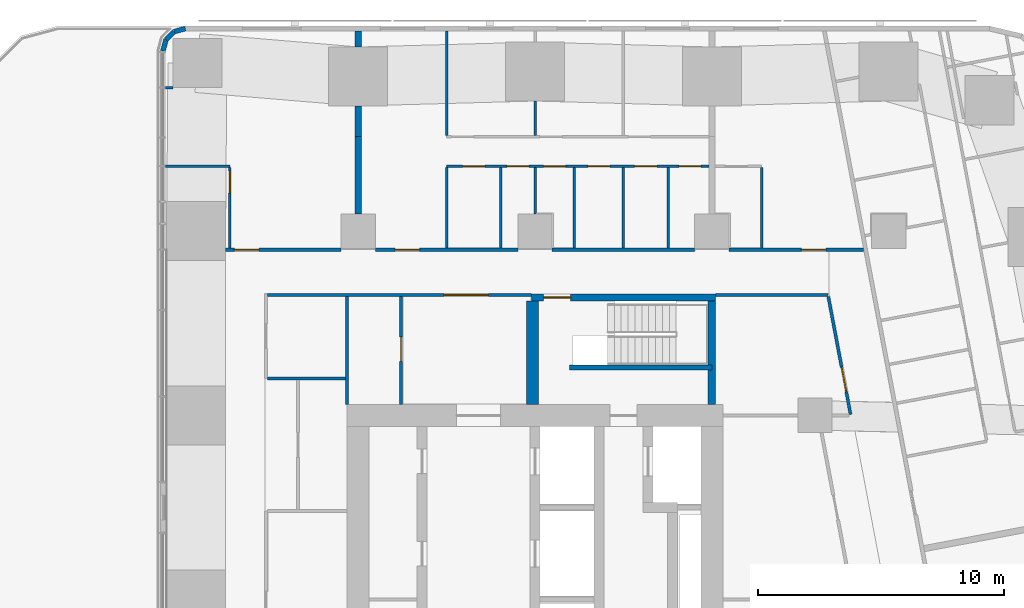
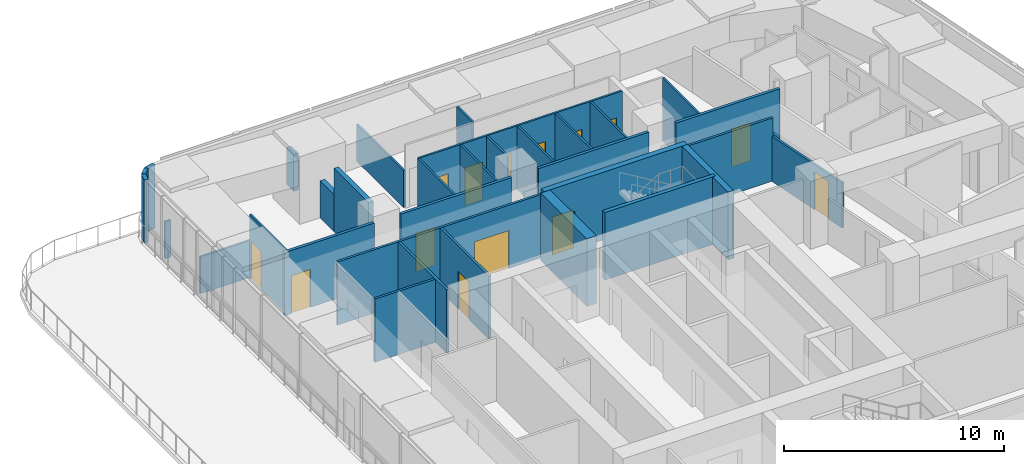
# One storey, part 12 of 17: 33 walls, 14 doors, 14 openings.
"""IFC4 building model written with IfcOpenShell, lengths in metres."""

from ifc_helpers import new_model, si_unit, direction, frame, frame_2d, origin, place, context, subcontext, project, spatial, rectangle, extrude, material, layer, layer_set, type_object, element, fill, save


model = new_model("IFC4")

# Units and contexts
model_context = context("Model", 3, precision=1e-05, world=origin(), true_north=direction((0.0, 1.0)))
body_context = subcontext(model_context, "Body", "Model", "MODEL_VIEW")
ifc_project = project(units=[si_unit("LENGTHUNIT", "METRE"), si_unit("AREAUNIT", "SQUARE_METRE"), si_unit("VOLUMEUNIT", "CUBIC_METRE"), si_unit("PLANEANGLEUNIT", "RADIAN"), si_unit("MASSUNIT", "GRAM", prefix="KILO")], contexts=[model_context])

# Site, building, storey
site_placement = place(None, origin())
site = spatial("IfcSite", under=ifc_project, at=site_placement, CompositionType="ELEMENT")
building_placement = place(site_placement, origin())
building = spatial("IfcBuilding", under=site, at=building_placement, Name="Sheger Commons Tower", CompositionType="ELEMENT")
storey_placement = place(building_placement, frame((0.0, 0.0, 193.699951171875)))
storey = spatial("IfcBuildingStorey", under=building, at=storey_placement, Name="L49", CompositionType="ELEMENT", Elevation=193.699951171875)

# Wall, opening, door
ifc_material_1 = material(Name="Hollow concrete block masonry, skimmed both sides", Category="masonry")
ifc_layer_1 = layer(ifc_material_1, 0.14990234375)
ifc_layer_set_1 = layer_set([ifc_layer_1], Name="CORRIDOR WALL 150")
wall_type_1 = type_object("IfcWallType", Name="CORRIDOR WALL 150", PredefinedType="SOLIDWALL", material=ifc_layer_set_1)
wall_1_placement = place(storey_placement, frame((9.0009765625, 36.75, 0.0), z_axis=(0.0, 0.0, 1.0), x_axis=(1.0, 0.0, 0.0)))
wall_1 = element("IfcWall", 1, at=wall_1_placement, inside=storey, type_object=wall_type_1, Name="Corridor wall L49", PredefinedType="SOLIDWALL", context=body_context, shape_type="SweptSolid", body=[
    extrude(rectangle(XDim=4.697998046875, YDim=0.14990234375, at=frame_2d((2.34912109375, 0.0))), origin(), (0.0, 0.0, 1.0), 3.5),
])
opening_1_placement = place(wall_1_placement, frame((0.35302734375, 0.0, 0.0)))
opening_1 = element("IfcOpeningElement", 2, at=opening_1_placement, cuts=wall_1, Name="Opening D1", PredefinedType="OPENING", context=body_context, shape_type="SweptSolid", body=[
    extrude(rectangle(XDim=1.0, YDim=2.10009765625, at=frame_2d((0.5, 1.050048828125))), frame((0.0, 0.0849609375, 0.0), z_axis=(0.0, -1.0, 0.0), x_axis=(1.0, 0.0, 0.0)), (0.0, 0.0, 1.0), 0.169921875),
])
ifc_material_2 = material(Name="Steel door set, fire rated", Category="steel")
door_type_1 = type_object("IfcDoorType", Name="FLAT ENTRANCE DOOR 1000x2100", OperationType="NOTDEFINED", PredefinedType="DOOR", material=ifc_material_2)
door_1_placement = place(opening_1_placement, origin())
door_1 = element("IfcDoor", 3, at=door_1_placement, inside=storey, type_object=door_type_1, Name="Flat entrance door", OperationType="SINGLE_SWING_RIGHT", OverallHeight=2.10009765625, OverallWidth=1.0, PredefinedType="DOOR", context=body_context, shape_type="SweptSolid", body=[
    extrude(rectangle(XDim=1.0, YDim=2.10009765625, at=frame_2d((0.5, 1.050048828125))), frame((0.0, 0.02490234375, 0.0), z_axis=(0.0, -1.0, 0.0), x_axis=(1.0, 0.0, 0.0)), (0.0, 0.0, 1.0), 0.050048828125),
])
fill(opening_1, door_1)

wall_2_placement = place(storey_placement, frame((15.10107421875, 36.75, 0.0), z_axis=(0.0, 0.0, 1.0), x_axis=(1.0, 0.0, 0.0)))
wall_2 = element("IfcWall", 4, at=wall_2_placement, inside=storey, type_object=wall_type_1, Name="Corridor wall L49", PredefinedType="SOLIDWALL", context=body_context, shape_type="SweptSolid", body=[
    extrude(rectangle(XDim=5.7978515625, YDim=0.14990234375, at=frame_2d((2.89892578125, 0.0))), origin(), (0.0, 0.0, 1.0), 3.5),
])
opening_2_placement = place(wall_2_placement, frame((0.799072265625, 0.0, 0.0)))
opening_2 = element("IfcOpeningElement", 5, at=opening_2_placement, cuts=wall_2, Name="Opening D1", PredefinedType="OPENING", context=body_context, shape_type="SweptSolid", body=[
    extrude(rectangle(XDim=1.0, YDim=2.10009765625, at=frame_2d((0.5, 1.050048828125))), frame((0.0, 0.0849609375, 0.0), z_axis=(0.0, -1.0, 0.0), x_axis=(1.0, 0.0, 0.0)), (0.0, 0.0, 1.0), 0.169921875),
])
door_2_placement = place(opening_2_placement, origin())
door_2 = element("IfcDoor", 6, at=door_2_placement, inside=storey, type_object=door_type_1, Name="Flat entrance door", OperationType="SINGLE_SWING_LEFT", OverallHeight=2.10009765625, OverallWidth=1.0, PredefinedType="DOOR", context=body_context, shape_type="SweptSolid", body=[
    extrude(rectangle(XDim=1.0, YDim=2.10009765625, at=frame_2d((0.5, 1.050048828125))), frame((0.0, 0.02490234375, 0.0), z_axis=(0.0, -1.0, 0.0), x_axis=(1.0, 0.0, 0.0)), (0.0, 0.0, 1.0), 0.050048828125),
])
fill(opening_2, door_2)

# Wall
wall_3_placement = place(storey_placement, frame((22.301025390625, 36.75, 0.0), z_axis=(0.0, 0.0, 1.0), x_axis=(1.0, 0.0, 0.0)))
element("IfcWall", 7, at=wall_3_placement, inside=storey, type_object=wall_type_1, Name="Corridor wall L49", PredefinedType="SOLIDWALL", context=body_context, shape_type="SweptSolid", body=[
    extrude(rectangle(XDim=5.798095703125, YDim=0.14990234375, at=frame_2d((2.89892578125, 0.0))), origin(), (0.0, 0.0, 1.0), 3.5),
])

# Wall, opening, door
wall_4_placement = place(storey_placement, frame((29.5009765625, 36.75, 0.0), z_axis=(0.0, 0.0, 1.0), x_axis=(1.0, 0.0, 0.0)))
wall_4 = element("IfcWall", 8, at=wall_4_placement, inside=storey, type_object=wall_type_1, Name="Corridor wall L49", PredefinedType="SOLIDWALL", context=body_context, shape_type="SweptSolid", body=[
    extrude(rectangle(XDim=5.470947265625, YDim=0.14990234375, at=frame_2d((2.7353515625, 0.0))), origin(), (0.0, 0.0, 1.0), 3.5),
])
opening_3_placement = place(wall_4_placement, frame((2.945068359375, 0.0, 0.0)))
opening_3 = element("IfcOpeningElement", 9, at=opening_3_placement, cuts=wall_4, Name="Opening D1", PredefinedType="OPENING", context=body_context, shape_type="SweptSolid", body=[
    extrude(rectangle(XDim=1.0, YDim=2.10009765625, at=frame_2d((0.5, 1.050048828125))), frame((0.0, 0.0849609375, 0.0), z_axis=(0.0, -1.0, 0.0), x_axis=(1.0, 0.0, 0.0)), (0.0, 0.0, 1.0), 0.169921875),
])
door_3_placement = place(opening_3_placement, origin())
door_3 = element("IfcDoor", 10, at=door_3_placement, inside=storey, type_object=door_type_1, Name="Flat entrance door", OperationType="SINGLE_SWING_RIGHT", OverallHeight=2.10009765625, OverallWidth=1.0, PredefinedType="DOOR", context=body_context, shape_type="SweptSolid", body=[
    extrude(rectangle(XDim=1.0, YDim=2.10009765625, at=frame_2d((0.5, 1.050048828125))), frame((0.0, 0.02490234375, 0.0), z_axis=(0.0, -1.0, 0.0), x_axis=(1.0, 0.0, 0.0)), (0.0, 0.0, 1.0), 0.050048828125),
])
fill(opening_3, door_3)

# Walls
ifc_material_3 = material(Name="Dense concrete block masonry, plastered both sides (separating wall between flats)", Category="masonry")
ifc_layer_2 = layer(ifc_material_3, 0.25)
ifc_layer_set_2 = layer_set([ifc_layer_2], Name="DEMISING WALL 250")
wall_type_2 = type_object("IfcWallType", Name="DEMISING WALL 250", PredefinedType="SOLIDWALL", material=ifc_layer_set_2)
wall_5_placement = place(storey_placement, frame((14.39990234375, 41.35009765625, 0.0), z_axis=(0.0, 0.0, 1.0), x_axis=(0.0, 1.0, 0.0)))
element("IfcWall", 11, at=wall_5_placement, inside=storey, type_object=wall_type_2, Name="Demising wall L49", PredefinedType="SOLIDWALL", context=body_context, shape_type="SweptSolid", body=[
    extrude(rectangle(XDim=1.2490234375, YDim=0.25, at=frame_2d((0.62451171875, 0.0))), origin(), (0.0, 0.0, 1.0), 2.050048828125),
])
wall_6_placement = place(storey_placement, frame((14.39990234375, 45.0009765625, 0.0), z_axis=(0.0, 0.0, 1.0), x_axis=(0.0, 1.0, 0.0)))
element("IfcWall", 12, at=wall_6_placement, inside=storey, type_object=wall_type_2, Name="Demising wall L49", PredefinedType="SOLIDWALL", context=body_context, shape_type="SweptSolid", body=[
    extrude(rectangle(XDim=0.64892578125, YDim=0.25, at=frame_2d((0.324462890625, 0.0))), origin(), (0.0, 0.0, 1.0), 2.050048828125),
])
wall_7_placement = place(storey_placement, frame((14.39990234375, 38.200927734375, 0.0), z_axis=(0.0, 0.0, 1.0), x_axis=(0.0, 1.0, 0.0)))
element("IfcWall", 13, at=wall_7_placement, inside=storey, type_object=wall_type_2, Name="Demising wall L49", PredefinedType="SOLIDWALL", context=body_context, shape_type="SweptSolid", body=[
    extrude(rectangle(XDim=3.149169921875, YDim=0.25, at=frame_2d((1.57470703125, 0.0))), origin(), (0.0, 0.0, 1.0), 3.5),
])
ifc_material_4 = material(Name="Rendered concrete block masonry, dark grey", Category="masonry")
ifc_layer_3 = layer(ifc_material_4, 0.199951171875)
ifc_layer_set_3 = layer_set([ifc_layer_3], Name="FACADE WALL 200")
wall_type_3 = type_object("IfcWallType", Name="FACADE WALL 200", PredefinedType="SOLIDWALL", material=ifc_layer_set_3)
wall_8_placement = place(storey_placement, frame((7.363037109375, 45.75, 0.0), z_axis=(0.0, 0.0, 1.0), x_axis=(-0.965655254015, -0.259826731483, 0.0)))
element("IfcWall", 14, at=wall_8_placement, inside=storey, type_object=wall_type_3, Name="Facade wall L49", PredefinedType="SOLIDWALL", context=body_context, shape_type="SweptSolid", body=[
    extrude(rectangle(XDim=0.477294921875, YDim=0.199951171875, at=frame_2d((0.23876953125, 0.0))), origin(), (0.0, 0.0, 1.0), 3.5),
])
wall_9_placement = place(storey_placement, frame((6.902099609375, 45.6259765625, 0.0), z_axis=(0.0, 0.0, 1.0), x_axis=(-0.707369890659, -0.706843573776, 0.0)))
element("IfcWall", 15, at=wall_9_placement, inside=storey, type_object=wall_type_3, Name="Facade wall L49", PredefinedType="SOLIDWALL", context=body_context, shape_type="SweptSolid", body=[
    extrude(rectangle(XDim=0.4638671875, YDim=0.199951171875, at=frame_2d((0.23193359375, 0.0))), origin(), (0.0, 0.0, 1.0), 3.5),
])
wall_10_placement = place(storey_placement, frame((6.573974609375, 45.298095703125, 0.0), z_axis=(0.0, 0.0, 1.0), x_axis=(-0.259698463175, -0.965689757751, 0.0)))
element("IfcWall", 16, at=wall_10_placement, inside=storey, type_object=wall_type_3, Name="Facade wall L49", PredefinedType="SOLIDWALL", context=body_context, shape_type="SweptSolid", body=[
    extrude(rectangle(XDim=0.4775390625, YDim=0.199951171875, at=frame_2d((0.23876953125, 0.0))), origin(), (0.0, 0.0, 1.0), 3.5),
])
ifc_material_5 = material(Name="Gypsum board on steel studs", Category="steel")
ifc_layer_4 = layer(ifc_material_5, 0.10009765625)
ifc_layer_set_4 = layer_set([ifc_layer_4], Name="PARTITION 100")
wall_type_4 = type_object("IfcWallType", Name="PARTITION 100", PredefinedType="PARTITIONING", material=ifc_layer_set_4)
wall_11_placement = place(storey_placement, frame((6.85400390625, 43.345947265625, 0.0), z_axis=(0.0, 0.0, 1.0), x_axis=(-1.0, 0.0, 0.0)))
element("IfcWall", 17, at=wall_11_placement, inside=storey, type_object=wall_type_4, Name="Partition L49", PredefinedType="PARTITIONING", context=body_context, shape_type="SweptSolid", body=[
    extrude(rectangle(XDim=0.303955078125, YDim=0.10009765625, at=frame_2d((0.15185546875, 0.0))), origin(), (0.0, 0.0, 1.0), 2.050048828125),
])
wall_12_placement = place(storey_placement, frame((6.550048828125, 40.14990234375, 0.0), z_axis=(0.0, 0.0, 1.0), x_axis=(1.0, 0.0, 0.0)))
element("IfcWall", 18, at=wall_12_placement, inside=storey, type_object=wall_type_4, Name="Partition L49", PredefinedType="PARTITIONING", context=body_context, shape_type="SweptSolid", body=[
    extrude(rectangle(XDim=2.62890625, YDim=0.10009765625, at=frame_2d((1.314453125, 0.0))), origin(), (0.0, 0.0, 1.0), 2.050048828125),
])

# Wall, opening, door
wall_13_placement = place(storey_placement, frame((9.178955078125, 36.824951171875, 0.0), z_axis=(0.0, 0.0, 1.0), x_axis=(0.0, 1.0, 0.0)))
wall_13 = element("IfcWall", 19, at=wall_13_placement, inside=storey, type_object=wall_type_4, Name="Partition L49", PredefinedType="PARTITIONING", context=body_context, shape_type="SweptSolid", body=[
    extrude(rectangle(XDim=3.275146484375, YDim=0.10009765625, at=frame_2d((1.6376953125, 0.0))), origin(), (0.0, 0.0, 1.0), 3.5),
])
opening_4_placement = place(wall_13_placement, frame((2.22509765625, 0.0, 0.0)))
opening_4 = element("IfcOpeningElement", 20, at=opening_4_placement, cuts=wall_13, Name="Opening D2", PredefinedType="OPENING", context=body_context, shape_type="SweptSolid", body=[
    extrude(rectangle(XDim=0.89990234375, YDim=2.10009765625, at=frame_2d((0.449951171875, 1.050048828125))), frame((0.0, 0.06005859375, 0.0), z_axis=(0.0, -1.0, 0.0), x_axis=(1.0, 0.0, 0.0)), (0.0, 0.0, 1.0), 0.1201171875),
])
ifc_material_6 = material(Name="Timber door set", Category="wood")
door_type_2 = type_object("IfcDoorType", Name="INTERNAL DOOR 900x2100", OperationType="NOTDEFINED", PredefinedType="DOOR", material=ifc_material_6)
door_4_placement = place(opening_4_placement, origin())
door_4 = element("IfcDoor", 21, at=door_4_placement, inside=storey, type_object=door_type_2, Name="Shower room door", OperationType="SINGLE_SWING_RIGHT", OverallHeight=2.10009765625, OverallWidth=0.89990234375, PredefinedType="DOOR", context=body_context, shape_type="SweptSolid", body=[
    extrude(rectangle(XDim=0.89990234375, YDim=2.10009765625, at=frame_2d((0.449951171875, 1.050048828125))), frame((0.0, 0.02490234375, 0.0), z_axis=(0.0, -1.0, 0.0), x_axis=(1.0, 0.0, 0.0)), (0.0, 0.0, 1.0), 0.050048828125),
])
fill(opening_4, door_4)

# Wall, openings, doors
wall_14_placement = place(storey_placement, frame((18.0, 40.14990234375, 0.0), z_axis=(0.0, 0.0, 1.0), x_axis=(1.0, 0.0, 0.0)))
wall_14 = element("IfcWall", 22, at=wall_14_placement, inside=storey, type_object=wall_type_4, Name="Partition L49", PredefinedType="PARTITIONING", context=body_context, shape_type="SweptSolid", body=[
    extrude(rectangle(XDim=10.675048828125, YDim=0.10009765625, at=frame_2d((5.33740234375, 0.0))), origin(), (0.0, 0.0, 1.0), 3.5),
])
opening_5_placement = place(wall_14_placement, frame((0.655029296875, 0.0, 0.0)))
opening_5 = element("IfcOpeningElement", 23, at=opening_5_placement, cuts=wall_14, Name="Opening D2", PredefinedType="OPENING", context=body_context, shape_type="SweptSolid", body=[
    extrude(rectangle(XDim=0.89990234375, YDim=2.10009765625, at=frame_2d((0.449951171875, 1.050048828125))), frame((0.0, 0.06005859375, 0.0), z_axis=(0.0, -1.0, 0.0), x_axis=(1.0, 0.0, 0.0)), (0.0, 0.0, 1.0), 0.1201171875),
])
opening_6_placement = place(wall_14_placement, frame((3.949951171875, 0.0, 0.0)))
opening_6 = element("IfcOpeningElement", 24, at=opening_6_placement, cuts=wall_14, Name="Opening D2", PredefinedType="OPENING", context=body_context, shape_type="SweptSolid", body=[
    extrude(rectangle(XDim=0.89990234375, YDim=2.10009765625, at=frame_2d((0.449951171875, 1.050048828125))), frame((0.0, 0.06005859375, 0.0), z_axis=(0.0, -1.0, 0.0), x_axis=(1.0, 0.0, 0.0)), (0.0, 0.0, 1.0), 0.1201171875),
])
opening_7_placement = place(wall_14_placement, frame((7.659912109375, 0.0, 0.0)))
opening_7 = element("IfcOpeningElement", 25, at=opening_7_placement, cuts=wall_14, Name="Opening D2", PredefinedType="OPENING", context=body_context, shape_type="SweptSolid", body=[
    extrude(rectangle(XDim=0.89990234375, YDim=2.10009765625, at=frame_2d((0.449951171875, 1.050048828125))), frame((0.0, 0.06005859375, 0.0), z_axis=(0.0, -1.0, 0.0), x_axis=(1.0, 0.0, 0.0)), (0.0, 0.0, 1.0), 0.1201171875),
])
opening_8_placement = place(wall_14_placement, frame((2.455078125, 0.0, 0.0)))
opening_8 = element("IfcOpeningElement", 26, at=opening_8_placement, cuts=wall_14, Name="Opening D2", PredefinedType="OPENING", context=body_context, shape_type="SweptSolid", body=[
    extrude(rectangle(XDim=0.89990234375, YDim=2.10009765625, at=frame_2d((0.449951171875, 1.050048828125))), frame((0.0, 0.06005859375, 0.0), z_axis=(0.0, -1.0, 0.0), x_axis=(1.0, 0.0, 0.0)), (0.0, 0.0, 1.0), 0.1201171875),
])
opening_9_placement = place(wall_14_placement, frame((5.75, 0.0, 0.0)))
opening_9 = element("IfcOpeningElement", 27, at=opening_9_placement, cuts=wall_14, Name="Opening D2", PredefinedType="OPENING", context=body_context, shape_type="SweptSolid", body=[
    extrude(rectangle(XDim=0.89990234375, YDim=2.10009765625, at=frame_2d((0.449951171875, 1.050048828125))), frame((0.0, 0.06005859375, 0.0), z_axis=(0.0, -1.0, 0.0), x_axis=(1.0, 0.0, 0.0)), (0.0, 0.0, 1.0), 0.1201171875),
])
opening_10_placement = place(wall_14_placement, frame((9.4599609375, 0.0, 0.0)))
opening_10 = element("IfcOpeningElement", 28, at=opening_10_placement, cuts=wall_14, Name="Opening D2", PredefinedType="OPENING", context=body_context, shape_type="SweptSolid", body=[
    extrude(rectangle(XDim=0.89990234375, YDim=2.10009765625, at=frame_2d((0.449951171875, 1.050048828125))), frame((0.0, 0.06005859375, 0.0), z_axis=(0.0, -1.0, 0.0), x_axis=(1.0, 0.0, 0.0)), (0.0, 0.0, 1.0), 0.1201171875),
])
door_5_placement = place(opening_5_placement, origin())
door_5 = element("IfcDoor", 29, at=door_5_placement, inside=storey, type_object=door_type_2, Name="Bathroom door", OperationType="SINGLE_SWING_RIGHT", OverallHeight=2.10009765625, OverallWidth=0.89990234375, PredefinedType="DOOR", context=body_context, shape_type="SweptSolid", body=[
    extrude(rectangle(XDim=0.89990234375, YDim=2.10009765625, at=frame_2d((0.449951171875, 1.050048828125))), frame((0.0, 0.02490234375, 0.0), z_axis=(0.0, -1.0, 0.0), x_axis=(1.0, 0.0, 0.0)), (0.0, 0.0, 1.0), 0.050048828125),
])
fill(opening_5, door_5)
door_6_placement = place(opening_6_placement, origin())
door_6 = element("IfcDoor", 30, at=door_6_placement, inside=storey, type_object=door_type_2, Name="Shower room door", OperationType="SINGLE_SWING_RIGHT", OverallHeight=2.10009765625, OverallWidth=0.89990234375, PredefinedType="DOOR", context=body_context, shape_type="SweptSolid", body=[
    extrude(rectangle(XDim=0.89990234375, YDim=2.10009765625, at=frame_2d((0.449951171875, 1.050048828125))), frame((0.0, 0.02490234375, 0.0), z_axis=(0.0, -1.0, 0.0), x_axis=(1.0, 0.0, 0.0)), (0.0, 0.0, 1.0), 0.050048828125),
])
fill(opening_6, door_6)
door_7_placement = place(opening_7_placement, origin())
door_7 = element("IfcDoor", 31, at=door_7_placement, inside=storey, type_object=door_type_2, Name="Laundry room door", OperationType="SINGLE_SWING_RIGHT", OverallHeight=2.10009765625, OverallWidth=0.89990234375, PredefinedType="DOOR", context=body_context, shape_type="SweptSolid", body=[
    extrude(rectangle(XDim=0.89990234375, YDim=2.10009765625, at=frame_2d((0.449951171875, 1.050048828125))), frame((0.0, 0.02490234375, 0.0), z_axis=(0.0, -1.0, 0.0), x_axis=(1.0, 0.0, 0.0)), (0.0, 0.0, 1.0), 0.050048828125),
])
fill(opening_7, door_7)
door_8_placement = place(opening_8_placement, origin())
door_8 = element("IfcDoor", 32, at=door_8_placement, inside=storey, type_object=door_type_2, Name="Store door", OperationType="SINGLE_SWING_LEFT", OverallHeight=2.10009765625, OverallWidth=0.89990234375, PredefinedType="DOOR", context=body_context, shape_type="SweptSolid", body=[
    extrude(rectangle(XDim=0.89990234375, YDim=2.10009765625, at=frame_2d((0.449951171875, 1.050048828125))), frame((0.0, 0.02490234375, 0.0), z_axis=(0.0, -1.0, 0.0), x_axis=(1.0, 0.0, 0.0)), (0.0, 0.0, 1.0), 0.050048828125),
])
fill(opening_8, door_8)
door_9_placement = place(opening_9_placement, origin())
door_9 = element("IfcDoor", 33, at=door_9_placement, inside=storey, type_object=door_type_2, Name="Store door", OperationType="SINGLE_SWING_LEFT", OverallHeight=2.10009765625, OverallWidth=0.89990234375, PredefinedType="DOOR", context=body_context, shape_type="SweptSolid", body=[
    extrude(rectangle(XDim=0.89990234375, YDim=2.10009765625, at=frame_2d((0.449951171875, 1.050048828125))), frame((0.0, 0.02490234375, 0.0), z_axis=(0.0, -1.0, 0.0), x_axis=(1.0, 0.0, 0.0)), (0.0, 0.0, 1.0), 0.050048828125),
])
fill(opening_9, door_9)
door_10_placement = place(opening_10_placement, origin())
door_10 = element("IfcDoor", 34, at=door_10_placement, inside=storey, type_object=door_type_2, Name="Store door", OperationType="SINGLE_SWING_LEFT", OverallHeight=2.10009765625, OverallWidth=0.89990234375, PredefinedType="DOOR", context=body_context, shape_type="SweptSolid", body=[
    extrude(rectangle(XDim=0.89990234375, YDim=2.10009765625, at=frame_2d((0.449951171875, 1.050048828125))), frame((0.0, 0.02490234375, 0.0), z_axis=(0.0, -1.0, 0.0), x_axis=(1.0, 0.0, 0.0)), (0.0, 0.0, 1.0), 0.050048828125),
])
fill(opening_10, door_10)

# Walls
wall_15_placement = place(storey_placement, frame((18.0, 41.39990234375, 0.0), z_axis=(0.0, 0.0, 1.0), x_axis=(0.0, 1.0, 0.0)))
element("IfcWall", 35, at=wall_15_placement, inside=storey, type_object=wall_type_4, Name="Partition L49", PredefinedType="PARTITIONING", context=body_context, shape_type="SweptSolid", body=[
    extrude(rectangle(XDim=4.25, YDim=0.10009765625, at=frame_2d((2.125, 0.0))), origin(), (0.0, 0.0, 1.0), 2.050048828125),
])
wall_16_placement = place(storey_placement, frame((21.60009765625, 41.39990234375, 0.0), z_axis=(0.0, 0.0, 1.0), x_axis=(0.0, 1.0, 0.0)))
element("IfcWall", 36, at=wall_16_placement, inside=storey, type_object=wall_type_4, Name="Partition L49", PredefinedType="PARTITIONING", context=body_context, shape_type="SweptSolid", body=[
    extrude(rectangle(XDim=1.399169921875, YDim=0.10009765625, at=frame_2d((0.69970703125, 0.0))), origin(), (0.0, 0.0, 1.0), 3.5),
])
wall_17_placement = place(storey_placement, frame((18.0, 36.824951171875, 0.0), z_axis=(0.0, 0.0, 1.0), x_axis=(0.0, 1.0, 0.0)))
element("IfcWall", 37, at=wall_17_placement, inside=storey, type_object=wall_type_4, Name="Partition L49", PredefinedType="PARTITIONING", context=body_context, shape_type="SweptSolid", body=[
    extrude(rectangle(XDim=3.275146484375, YDim=0.10009765625, at=frame_2d((1.6376953125, 0.0))), origin(), (0.0, 0.0, 1.0), 3.5),
])
wall_18_placement = place(storey_placement, frame((21.60009765625, 38.200927734375, 0.0), z_axis=(0.0, 0.0, 1.0), x_axis=(0.0, 1.0, 0.0)))
element("IfcWall", 38, at=wall_18_placement, inside=storey, type_object=wall_type_4, Name="Partition L49", PredefinedType="PARTITIONING", context=body_context, shape_type="SweptSolid", body=[
    extrude(rectangle(XDim=1.899169921875, YDim=0.10009765625, at=frame_2d((0.94970703125, 0.0))), origin(), (0.0, 0.0, 1.0), 3.5),
])
for number, where, z_axis, x_axis, name in (
    (39, (25.199951171875, 36.824951171875, 0.0), (0.0, 0.0, 1.0), (0.0, 1.0, 0.0), "Partition L49"),
    (40, (20.2099609375, 36.824951171875, 0.0), (0.0, 0.0, 1.0), (0.0, 1.0, 0.0), "Partition L49"),
    (41, (23.199951171875, 36.824951171875, 0.0), (0.0, 0.0, 1.0), (0.0, 1.0, 0.0), "Partition L49"),
    (42, (27.02001953125, 36.824951171875, 0.0), (0.0, 0.0, 1.0), (0.0, 1.0, 0.0), "Partition L49"),
    (43, (30.8291015625, 36.824951171875, 0.0), (0.0, 0.0, 1.0), (0.0, 1.0, 0.0), "Partition L49"),
):
    element("IfcWall", number, at=place(storey_placement, frame(where, z_axis=z_axis, x_axis=x_axis)), inside=storey, type_object=wall_type_4, Name=name, PredefinedType="PARTITIONING", context=body_context, shape_type="SweptSolid", body=[
        extrude(rectangle(XDim=3.275146484375, YDim=0.10009765625, at=frame_2d((1.6376953125, 0.0))), origin(), (0.0, 0.0, 1.0), 3.5),
    ])
ifc_material_7 = material(Name="Gypsum board on steel studs, two layers each side, fire rated", Category="steel")
ifc_layer_5 = layer(ifc_material_7, 0.125)
ifc_layer_set_5 = layer_set([ifc_layer_5], Name="SERVICE WALL 125")
wall_type_5 = type_object("IfcWallType", Name="SERVICE WALL 125", PredefinedType="PARTITIONING", material=ifc_layer_set_5)
wall_19_placement = place(storey_placement, frame((10.712890625, 31.5, 0.0), z_axis=(0.0, 0.0, 1.0), x_axis=(1.0, 0.0, 0.0)))
element("IfcWall", 44, at=wall_19_placement, inside=storey, type_object=wall_type_5, Name="Service room wall L49", PredefinedType="PARTITIONING", context=body_context, shape_type="SweptSolid", body=[
    extrude(rectangle(XDim=3.175048828125, YDim=0.125, at=frame_2d((1.58740234375, 0.0))), origin(), (0.0, 0.0, 1.0), 3.5),
])
wall_20_placement = place(storey_placement, frame((13.949951171875, 30.449951171875, 0.0), z_axis=(0.0, 0.0, 1.0), x_axis=(0.0, 1.0, 0.0)))
element("IfcWall", 45, at=wall_20_placement, inside=storey, type_object=wall_type_5, Name="Service room wall L49", PredefinedType="PARTITIONING", context=body_context, shape_type="SweptSolid", body=[
    extrude(rectangle(XDim=4.386962890625, YDim=0.125, at=frame_2d((2.193359375, 0.0))), origin(), (0.0, 0.0, 1.0), 3.5),
])

# Wall, opening, door
wall_21_placement = place(storey_placement, frame((10.712890625, 34.89990234375, 0.0), z_axis=(0.0, 0.0, 1.0), x_axis=(1.0, 0.0, 0.0)))
wall_21 = element("IfcWall", 46, at=wall_21_placement, inside=storey, type_object=wall_type_5, Name="Service room wall L49", PredefinedType="PARTITIONING", context=body_context, shape_type="SweptSolid", body=[
    extrude(rectangle(XDim=10.737060546875, YDim=0.125, at=frame_2d((5.36865234375, 0.0))), origin(), (0.0, 0.0, 1.0), 3.5),
])
opening_11_placement = place(wall_21_placement, frame((7.18701171875, 0.0, 0.0)))
opening_11 = element("IfcOpeningElement", 47, at=opening_11_placement, cuts=wall_21, Name="Opening D6", PredefinedType="OPENING", context=body_context, shape_type="SweptSolid", body=[
    extrude(rectangle(XDim=1.800048828125, YDim=2.10009765625, at=frame_2d((0.89990234375, 1.050048828125))), frame((0.0, 0.072509765625, 0.0), z_axis=(0.0, -1.0, 0.0), x_axis=(1.0, 0.0, 0.0)), (0.0, 0.0, 1.0), 0.14501953125),
])
ifc_material_8 = material(Name="Steel door set, fire rated", Category="steel")
door_type_3 = type_object("IfcDoorType", Name="LOBBY DOUBLE DOOR 1800x2100", OperationType="DOUBLE_DOOR_SINGLE_SWING", PredefinedType="DOOR", material=ifc_material_8)
door_11_placement = place(opening_11_placement, origin())
door_11 = element("IfcDoor", 48, at=door_11_placement, inside=storey, type_object=door_type_3, Name="Lift lobby north door", OperationType="DOUBLE_DOOR_SINGLE_SWING", OverallHeight=2.10009765625, OverallWidth=1.800048828125, PredefinedType="DOOR", context=body_context, shape_type="SweptSolid", body=[
    extrude(rectangle(XDim=1.800048828125, YDim=2.10009765625, at=frame_2d((0.89990234375, 1.050048828125))), frame((0.0, 0.02490234375, 0.0), z_axis=(0.0, -1.0, 0.0), x_axis=(1.0, 0.0, 0.0)), (0.0, 0.0, 1.0), 0.050048828125),
])
fill(opening_11, door_11)

wall_22_placement = place(storey_placement, frame((16.14990234375, 30.449951171875, 0.0), z_axis=(0.0, 0.0, 1.0), x_axis=(0.0, 1.0, 0.0)))
wall_22 = element("IfcWall", 49, at=wall_22_placement, inside=storey, type_object=wall_type_5, Name="Service room wall L49", PredefinedType="PARTITIONING", context=body_context, shape_type="SweptSolid", body=[
    extrude(rectangle(XDim=4.386962890625, YDim=0.125, at=frame_2d((2.193359375, 0.0))), origin(), (0.0, 0.0, 1.0), 3.5),
])
opening_12_placement = place(wall_22_placement, frame((1.75, 0.0, 0.0)))
opening_12 = element("IfcOpeningElement", 50, at=opening_12_placement, cuts=wall_22, Name="Opening D4", PredefinedType="OPENING", context=body_context, shape_type="SweptSolid", body=[
    extrude(rectangle(XDim=1.0, YDim=2.10009765625, at=frame_2d((0.5, 1.050048828125))), frame((0.0, 0.072509765625, 0.0), z_axis=(0.0, -1.0, 0.0), x_axis=(1.0, 0.0, 0.0)), (0.0, 0.0, 1.0), 0.14501953125),
])
ifc_material_9 = material(Name="Steel door set, fire rated", Category="steel")
door_type_4 = type_object("IfcDoorType", Name="SERVICE DOOR 1000x2100", OperationType="NOTDEFINED", PredefinedType="DOOR", material=ifc_material_9)
door_12_placement = place(opening_12_placement, origin())
door_12 = element("IfcDoor", 51, at=door_12_placement, inside=storey, type_object=door_type_4, Name="Telecom room door", OperationType="SINGLE_SWING_RIGHT", OverallHeight=2.10009765625, OverallWidth=1.0, PredefinedType="DOOR", context=body_context, shape_type="SweptSolid", body=[
    extrude(rectangle(XDim=1.0, YDim=2.10009765625, at=frame_2d((0.5, 1.050048828125))), frame((0.0, 0.02490234375, 0.0), z_axis=(0.0, -1.0, 0.0), x_axis=(1.0, 0.0, 0.0)), (0.0, 0.0, 1.0), 0.050048828125),
])
fill(opening_12, door_12)

# Wall
wall_23_placement = place(storey_placement, frame((28.949951171875, 34.89990234375, 0.0), z_axis=(0.0, 0.0, 1.0), x_axis=(1.0, 0.0, 0.0)))
element("IfcWall", 52, at=wall_23_placement, inside=storey, type_object=wall_type_5, Name="Service room wall L49", PredefinedType="PARTITIONING", context=body_context, shape_type="SweptSolid", body=[
    extrude(rectangle(XDim=4.588134765625, YDim=0.125, at=frame_2d((2.2939453125, 0.0))), origin(), (0.0, 0.0, 1.0), 3.5),
])

# Wall, opening, door
wall_24_placement = place(storey_placement, frame((34.447998046875, 30.0400390625, 0.0), z_axis=(0.0, 0.0, 1.0), x_axis=(-0.185749459238, 0.982597139418, 0.0)))
wall_24 = element("IfcWall", 53, at=wall_24_placement, inside=storey, type_object=wall_type_5, Name="Service room wall L49", PredefinedType="PARTITIONING", context=body_context, shape_type="SweptSolid", body=[
    extrude(rectangle(XDim=4.8828125, YDim=0.125, at=frame_2d((2.44140625, 0.0))), origin(), (0.0, 0.0, 1.0), 2.5),
])
opening_13_placement = place(wall_24_placement, frame((0.949951171875, 0.0, 0.0)))
opening_13 = element("IfcOpeningElement", 54, at=opening_13_placement, cuts=wall_24, Name="Opening D4", PredefinedType="OPENING", context=body_context, shape_type="SweptSolid", body=[
    extrude(rectangle(XDim=1.0, YDim=2.10009765625, at=frame_2d((0.5, 1.050048828125))), frame((0.0, 0.072509765625, 0.0), z_axis=(0.0, -1.0, 0.0), x_axis=(1.0, 0.0, 0.0)), (0.0, 0.0, 1.0), 0.14501953125),
])
door_13_placement = place(opening_13_placement, origin())
door_13 = element("IfcDoor", 55, at=door_13_placement, inside=storey, type_object=door_type_4, Name="Linen store door", OperationType="SINGLE_SWING_LEFT", OverallHeight=2.10009765625, OverallWidth=1.0, PredefinedType="DOOR", context=body_context, shape_type="SweptSolid", body=[
    extrude(rectangle(XDim=1.0, YDim=2.10009765625, at=frame_2d((0.5, 1.050048828125))), frame((0.0, 0.02490234375, 0.0), z_axis=(0.0, -1.0, 0.0), x_axis=(1.0, 0.0, 0.0)), (0.0, 0.0, 1.0), 0.050048828125),
])
fill(opening_13, door_13)

ifc_material_10 = material(Name="Concrete C50/60", Category="concrete")
ifc_layer_6 = layer(ifc_material_10, 0.300048828125)
ifc_layer_set_6 = layer_set([ifc_layer_6], Name="STAIR CORE WALL 300")
wall_type_6 = type_object("IfcWallType", Name="STAIR CORE WALL 300", PredefinedType="SHEAR", material=ifc_layer_set_6)
wall_25_placement = place(storey_placement, frame((21.449951171875, 34.800048828125, 0.0), z_axis=(0.0, 0.0, 1.0), x_axis=(1.0, 0.0, 0.0)))
wall_25 = element("IfcWall", 56, at=wall_25_placement, inside=storey, type_object=wall_type_6, Name="STW-L49-S2N", PredefinedType="SHEAR", context=body_context, shape_type="SweptSolid", body=[
    extrude(rectangle(XDim=7.5, YDim=0.300048828125, at=frame_2d((3.75, 0.0))), origin(), (0.0, 0.0, 1.0), 3.75),
])
opening_14_placement = place(wall_25_placement, frame((0.5, 0.0, 0.0)))
opening_14 = element("IfcOpeningElement", 57, at=opening_14_placement, cuts=wall_25, Name="Opening D5", PredefinedType="OPENING", context=body_context, shape_type="SweptSolid", body=[
    extrude(rectangle(XDim=1.10009765625, YDim=2.10009765625, at=frame_2d((0.550048828125, 1.050048828125))), frame((0.0, 0.159912109375, 0.0), z_axis=(0.0, -1.0, 0.0), x_axis=(1.0, 0.0, 0.0)), (0.0, 0.0, 1.0), 0.320068359375),
])
ifc_material_11 = material(Name="Steel door set, fire rated", Category="steel")
door_type_5 = type_object("IfcDoorType", Name="STAIR DOOR 1100x2100", OperationType="NOTDEFINED", PredefinedType="DOOR", material=ifc_material_11)
door_14_placement = place(opening_14_placement, origin())
door_14 = element("IfcDoor", 58, at=door_14_placement, inside=storey, type_object=door_type_5, Name="Stair S2 door", OperationType="SINGLE_SWING_RIGHT", OverallHeight=2.10009765625, OverallWidth=1.10009765625, PredefinedType="DOOR", context=body_context, shape_type="SweptSolid", body=[
    extrude(rectangle(XDim=1.10009765625, YDim=2.10009765625, at=frame_2d((0.550048828125, 1.050048828125))), frame((0.0, 0.02490234375, 0.0), z_axis=(0.0, -1.0, 0.0), x_axis=(1.0, 0.0, 0.0)), (0.0, 0.0, 1.0), 0.050048828125),
])
fill(opening_14, door_14)

# Walls
wall_26_placement = place(storey_placement, frame((28.800048828125, 30.449951171875, 0.0), z_axis=(0.0, 0.0, 1.0), x_axis=(0.0, 1.0, 0.0)))
element("IfcWall", 59, at=wall_26_placement, inside=storey, type_object=wall_type_6, Name="STW-L49-S2E", PredefinedType="SHEAR", context=body_context, shape_type="SweptSolid", body=[
    extrude(rectangle(XDim=4.199951171875, YDim=0.300048828125, at=frame_2d((2.10009765625, 0.0))), origin(), (0.0, 0.0, 1.0), 3.75),
])
ifc_material_12 = material(Name="Concrete C50/60", Category="concrete")
ifc_layer_7 = layer(ifc_material_12, 0.5)
ifc_layer_set_7 = layer_set([ifc_layer_7], Name="STAIR CORE WALL 500")
wall_type_7 = type_object("IfcWallType", Name="STAIR CORE WALL 500", PredefinedType="SHEAR", material=ifc_layer_set_7)
wall_27_placement = place(storey_placement, frame((21.5, 30.449951171875, 0.0), z_axis=(0.0, 0.0, 1.0), x_axis=(0.0, 1.0, 0.0)))
element("IfcWall", 60, at=wall_27_placement, inside=storey, type_object=wall_type_7, Name="STW-L49-S2W", PredefinedType="SHEAR", context=body_context, shape_type="SweptSolid", body=[
    extrude(rectangle(XDim=4.199951171875, YDim=0.5, at=frame_2d((2.10009765625, 0.0))), origin(), (0.0, 0.0, 1.0), 3.75),
])
ifc_material_13 = material(Name="Concrete C50/60", Category="concrete")
ifc_layer_8 = layer(ifc_material_13, 0.199951171875)
ifc_layer_set_8 = layer_set([ifc_layer_8], Name="STAIR SPINE WALL 200")
wall_type_8 = type_object("IfcWallType", Name="STAIR SPINE WALL 200", PredefinedType="SHEAR", material=ifc_layer_set_8)
wall_28_placement = place(storey_placement, frame((23.0, 31.949951171875, 0.0), z_axis=(0.0, 0.0, 1.0), x_axis=(1.0, 0.0, 0.0)))
element("IfcWall", 61, at=wall_28_placement, inside=storey, type_object=wall_type_8, Name="Stair spine wall L49", PredefinedType="SHEAR", context=body_context, shape_type="SweptSolid", body=[
    extrude(rectangle(XDim=5.800048828125, YDim=0.199951171875, at=frame_2d((2.89990234375, 0.0))), origin(), (0.0, 0.0, 1.0), 3.75),
])

save(model, "model.ifc")
